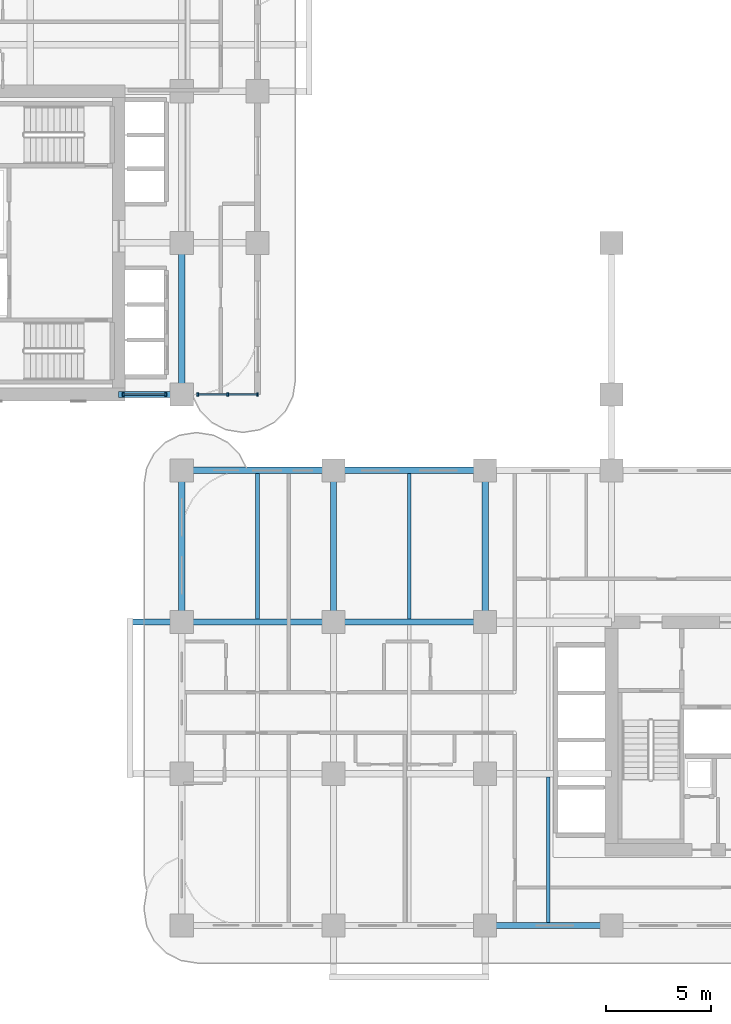
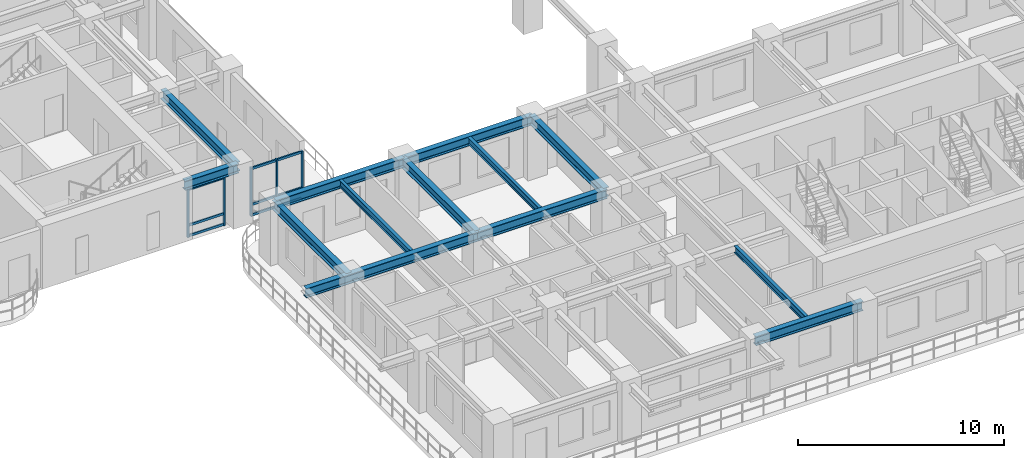
# One storey, part 2 of 18: 14 members, 13 beams, 2 elements without a shape of their own.
"""IFC4 building model written with IfcOpenShell, lengths in metres."""

import ifcopenshell
import ifcopenshell.guid

model = None  # the IFC model being written
_history = None  # IfcOwnerHistory: only IFC2X3 demands one
_inside = {}  # id of a spatial element -> (the spatial element, [elements in it])
_under = {}  # id of a project, library or spatial element -> (it, [spatial elements below it])
_declared = {}  # id of a project -> (the project, [libraries it declares])
_typed = {}  # id of a type object -> (the type object, [elements of that type])
_made_of = {}  # id of a material, layer set ... -> (it, [elements and type objects made of it])


def new_model(schema):
    """Start an empty IFC model of exactly this schema.

    Asked for "IFC4X3", IfcOpenShell would pick the latest addendum, in which some entities
    have other attributes; the version numbers below select the first issue.
    IFC2X3 requires an IfcOwnerHistory on every rooted entity: one is made here for all.
    """
    global model, _history
    if schema == "IFC4X3":
        model = ifcopenshell.file(schema_version=(4, 3, 0, 0))
    else:
        model = ifcopenshell.file(schema=schema)
    _inside.clear()
    _under.clear()
    _declared.clear()
    _typed.clear()
    _made_of.clear()
    _history = None
    if model.schema == "IFC2X3":
        org = make("IfcOrganization", Name="unknown")
        user = make(
            "IfcPersonAndOrganization",
            ThePerson=make("IfcPerson", FamilyName="unknown"),
            TheOrganization=org,
        )
        app = make(
            "IfcApplication",
            ApplicationDeveloper=org,
            Version="unknown",
            ApplicationFullName="unknown",
            ApplicationIdentifier="unknown",
        )
        _history = make(
            "IfcOwnerHistory",
            OwningUser=user,
            OwningApplication=app,
            ChangeAction="ADDED",
            CreationDate=0,
        )
    return model


def make(cls, **values):
    """One entity of the class cls with the attributes given. An attribute that is None is left unset."""
    return model.create_entity(
        cls, **{name: value for name, value in values.items() if value is not None}
    )


def rooted(cls, **values):
    """An entity with a GlobalId (a new one), such as an element, a storey or a relation."""
    return make(cls, GlobalId=ifcopenshell.guid.new(), OwnerHistory=_history, **values)


def si_unit(unit_type, name, prefix=None):
    """IfcSIUnit, for example si_unit("LENGTHUNIT", "METRE", prefix="MILLI")."""
    return make("IfcSIUnit", UnitType=unit_type, Prefix=prefix, Name=name)


def derived_unit(unit_type, elements):
    """IfcDerivedUnit: a product of units, each with its exponent."""
    return make(
        "IfcDerivedUnit",
        Elements=[
            make("IfcDerivedUnitElement", Unit=unit, Exponent=power)
            for unit, power in elements
        ],
        UnitType=unit_type,
    )


def assignment(units):
    """IfcUnitAssignment: the units of a project."""
    return None if units is None else make("IfcUnitAssignment", Units=units)


def point(xyz):
    """IfcCartesianPoint."""
    return None if xyz is None else make("IfcCartesianPoint", Coordinates=xyz)


def direction(xyz):
    """IfcDirection."""
    return None if xyz is None else make("IfcDirection", DirectionRatios=xyz)


def frame(location, z_axis=None, x_axis=None):
    """IfcAxis2Placement3D, a coordinate frame: its origin and axes. An axis left out is left unset."""
    return make(
        "IfcAxis2Placement3D",
        Location=point(location),
        Axis=direction(z_axis),
        RefDirection=direction(x_axis),
    )


def frame_2d(location, x_axis=None):
    """IfcAxis2Placement2D, a coordinate frame in the plane: its origin and x axis."""
    return make(
        "IfcAxis2Placement2D", Location=point(location), RefDirection=direction(x_axis)
    )


def origin():
    """The frame at (0, 0, 0) with its axes left unset."""
    return frame((0.0, 0.0, 0.0))


def origin_2d():
    """The frame at (0, 0) in the plane with its x axis left unset."""
    return frame_2d((0.0, 0.0))


def place(relative_to, where):
    """IfcLocalPlacement: puts the frame where relative to a parent placement (None: the world)."""
    return make(
        "IfcLocalPlacement", PlacementRelTo=relative_to, RelativePlacement=where
    )


def context(
    kind, dimensions, precision=None, world=None, true_north=None, identifier=None
):
    """IfcGeometricRepresentationContext, for example the 3D "Model" context."""
    return make(
        "IfcGeometricRepresentationContext",
        ContextIdentifier=identifier,
        ContextType=kind,
        CoordinateSpaceDimension=dimensions,
        Precision=precision,
        WorldCoordinateSystem=world,
        TrueNorth=true_north,
    )


def subcontext(parent, identifier, kind, view, scale=None):
    """IfcGeometricRepresentationSubContext, for example "Body" below "Model"."""
    return make(
        "IfcGeometricRepresentationSubContext",
        ContextIdentifier=identifier,
        ContextType=kind,
        ParentContext=parent,
        TargetScale=scale,
        TargetView=view,
    )


def project(units=None, contexts=None):
    """IfcProject with its units and contexts."""
    return rooted(
        "IfcProject",
        Name="project",
        RepresentationContexts=contexts,
        UnitsInContext=assignment(units),
    )


def spatial(cls, under=None, at=None, **own):
    """A site, building, storey or space (cls), placed at a placement, below another one or the project."""
    s = rooted(cls, ObjectPlacement=at, **own)
    if under is not None:
        _under.setdefault(under.id(), (under, []))[1].append(s)
    return s


def profile(cls, at=None, kind="AREA", **sizes):
    """A parametric profile (cls). Its sizes go by their IFC names, for example OverallWidth=200.0."""
    return make(cls, ProfileType=kind, Position=at, **sizes)


def rectangle(**sizes):
    """IfcRectangleProfileDef."""
    return profile("IfcRectangleProfileDef", **sizes)


def i_section(**sizes):
    """IfcIShapeProfileDef."""
    return profile("IfcIShapeProfileDef", **sizes)


def extrude(swept, where, along, depth):
    """IfcExtrudedAreaSolid: the profile swept, set in the frame where, extruded along a direction by depth."""
    return make(
        "IfcExtrudedAreaSolid",
        SweptArea=swept,
        Position=where,
        ExtrudedDirection=direction(along),
        Depth=depth,
    )


def shape(context_of_items, identifier, shape_type, items):
    """IfcShapeRepresentation: the items that make up one representation, for example the "Body"."""
    return make(
        "IfcShapeRepresentation",
        ContextOfItems=context_of_items,
        RepresentationIdentifier=identifier,
        RepresentationType=shape_type,
        Items=items,
    )


def source(mapping_origin, context_of_items, identifier, shape_type, items):
    """IfcRepresentationMap: a shape defined once, which mapped items show again and again."""
    return make(
        "IfcRepresentationMap",
        MappingOrigin=mapping_origin,
        MappedRepresentation=shape(context_of_items, identifier, shape_type, items),
    )


def transform(
    local_origin,
    x_axis=None,
    y_axis=None,
    z_axis=None,
    scale=None,
    scale2=None,
    scale3=None,
    uniform=True,
):
    """IfcCartesianTransformationOperator3D, or its non-uniform kind. x_axis, y_axis, z_axis: its Axis1, 2, 3."""
    if uniform:
        return make(
            "IfcCartesianTransformationOperator3D",
            Axis1=direction(x_axis),
            Axis2=direction(y_axis),
            LocalOrigin=point(local_origin),
            Scale=scale,
            Axis3=direction(z_axis),
        )
    return make(
        "IfcCartesianTransformationOperator3DnonUniform",
        Axis1=direction(x_axis),
        Axis2=direction(y_axis),
        LocalOrigin=point(local_origin),
        Scale=scale,
        Axis3=direction(z_axis),
        Scale2=scale2,
        Scale3=scale3,
    )


def mapped(mapping_source, mapping_target):
    """IfcMappedItem: shows the shape of a source again, moved by a transform."""
    return make(
        "IfcMappedItem", MappingSource=mapping_source, MappingTarget=mapping_target
    )


def material(Name=None, Category=None):
    """IfcMaterial."""
    return make("IfcMaterial", Name=Name, Category=Category)


def layer(
    of_material, thickness, ventilated=None, Name=None, Category=None, Priority=None
):
    """IfcMaterialLayer: one layer of a wall or slab, of a material (None: an air gap)."""
    return make(
        "IfcMaterialLayer",
        Material=of_material,
        LayerThickness=thickness,
        IsVentilated=ventilated,
        Name=Name,
        Category=Category,
        Priority=Priority,
    )


def layer_set(layers, Name=None):
    """IfcMaterialLayerSet."""
    return make("IfcMaterialLayerSet", MaterialLayers=layers, LayerSetName=Name)


def material_profile(
    of_material, cross_section, Name=None, Category=None, Priority=None
):
    """IfcMaterialProfile: a cross section and its material."""
    return make(
        "IfcMaterialProfile",
        Name=Name,
        Material=of_material,
        Profile=cross_section,
        Priority=Priority,
        Category=Category,
    )


def profile_set(profiles, Name=None, composite=None):
    """IfcMaterialProfileSet."""
    return make(
        "IfcMaterialProfileSet",
        Name=Name,
        MaterialProfiles=profiles,
        CompositeProfile=composite,
    )


def made_of(thing, what):
    """Note that an element or type object is made of a material, layer set ...; save() writes the relation."""
    if what is not None:
        _made_of.setdefault(what.id(), (what, []))[1].append(thing)
    return thing


def type_object(cls, material=None, **own):
    """A type object (cls), such as IfcWallType, which elements share."""
    return made_of(rooted(cls, **own), material)


def type_shapes(of_type, sources):
    """Give a type object the sources (RepresentationMaps) that its elements show as mapped items."""
    of_type.RepresentationMaps = sources


def element(
    cls,
    number,
    at=None,
    inside=None,
    cuts=None,
    type_object=None,
    material=None,
    context=None,
    identifier="Body",
    shape_type=None,
    held_by="IfcProductDefinitionShape",
    body=None,
    shapes=None,
    **own,
):
    """One element of the class cls, such as IfcWall. Its Tag is "e" and its number.

    at: its placement. inside: the storey or other place that contains it. cuts: it is an
    opening in that element (IfcRelVoidsElement). A single representation is given by context,
    identifier, shape_type and body (its items); several are given by shapes. held_by: the class
    of the entity that holds the representations. save() writes the other relations.
    """
    e = rooted(cls, Tag="e%d" % number, ObjectPlacement=at, **own)
    if body is not None:
        shapes = [shape(context, identifier, shape_type, body)]
    if shapes is not None:
        e.Representation = make(held_by, Representations=shapes)
    if inside is not None:
        _inside.setdefault(inside.id(), (inside, []))[1].append(e)
    if cuts is not None:
        rooted(
            "IfcRelVoidsElement", RelatingBuildingElement=cuts, RelatedOpeningElement=e
        )
    if type_object is not None:
        _typed.setdefault(type_object.id(), (type_object, []))[1].append(e)
    return made_of(e, material)


def aggregate(whole, parts):
    """IfcRelAggregates: a whole, such as a stair, and the parts it consists of."""
    return rooted("IfcRelAggregates", RelatingObject=whole, RelatedObjects=parts)


def save(model, path):
    """Write the relations noted so far, then the file.

    IfcRelAggregates (storeys below a building ...), IfcRelContainedInSpatialStructure (elements
    in a storey), IfcRelDefinesByType, IfcRelAssociatesMaterial and IfcRelDeclares: one each for
    every whole, place, type object, material and project.
    """
    for whole, parts in _under.values():
        aggregate(whole, parts)
    for where, things in _inside.values():
        rooted(
            "IfcRelContainedInSpatialStructure",
            RelatedElements=things,
            RelatingStructure=where,
        )
    for kind, things in _typed.values():
        rooted("IfcRelDefinesByType", RelatedObjects=things, RelatingType=kind)
    for what, things in _made_of.values():
        rooted("IfcRelAssociatesMaterial", RelatedObjects=things, RelatingMaterial=what)
    for by, libraries in _declared.values():
        rooted("IfcRelDeclares", RelatingContext=by, RelatedDefinitions=libraries)
    model.write(path)


model = new_model("IFC4")

# Units and contexts
model_context = context("Model", 3, precision=1e-05, world=origin(), true_north=direction((0.0, 1.0)))
body_context = subcontext(model_context, "Body", "Model", "MODEL_VIEW")
ifc_project = project(units=[si_unit("LENGTHUNIT", "METRE"), si_unit("AREAUNIT", "SQUARE_METRE"), si_unit("VOLUMEUNIT", "CUBIC_METRE"), si_unit("PLANEANGLEUNIT", "RADIAN"), si_unit("MASSUNIT", "GRAM", prefix="KILO"), si_unit("THERMODYNAMICTEMPERATUREUNIT", "KELVIN"), si_unit("POWERUNIT", "WATT"), derived_unit("THERMALTRANSMITTANCEUNIT", [(si_unit("POWERUNIT", "WATT"), 1), (si_unit("AREAUNIT", "SQUARE_METRE"), -1), (si_unit("THERMODYNAMICTEMPERATUREUNIT", "KELVIN"), -1)])], contexts=[model_context])

# Site, building, storey
site_placement = place(None, origin())
site = spatial("IfcSite", under=ifc_project, at=site_placement, CompositionType="ELEMENT")
building_placement = place(site_placement, origin())
building = spatial("IfcBuilding", under=site, at=building_placement, Name="Zahravan Archway Hotel and Residences", CompositionType="ELEMENT")
storey_placement = place(building_placement, frame((0.0, 0.0, 36.10009765625)))
storey = spatial("IfcBuildingStorey", under=building, at=storey_placement, Name="L07", CompositionType="ELEMENT", Elevation=36.10009765625)

# Beams
ifc_material_1 = material(Name="Structural Steel S355JR", Category="steel")
ifc_material_profile_1 = material_profile(ifc_material_1, i_section(OverallWidth=0.300048828125, OverallDepth=0.550048828125, WebThickness=0.014892578125, FlangeThickness=0.029052734375, FilletRadius=0.027099609375, at=origin_2d()), Name="HEB 550", Category="steel")
ifc_profile_set_1 = profile_set([ifc_material_profile_1], Name="Structural Steel S355JR")
beam_type_1 = type_object("IfcBeamType", Name="BM-PRI-HEB550", PredefinedType="BEAM", material=ifc_profile_set_1)
shared_shape_1 = source(origin(), body_context, "Body", "SweptSolid", [
    extrude(i_section(OverallWidth=0.300048828125, OverallDepth=0.550048828125, WebThickness=0.014892578125, FlangeThickness=0.029052734375, FilletRadius=0.027099609375, at=origin_2d()), origin(), (0.0, 0.0, 1.0), 7.2001953125),
])
type_shapes(beam_type_1, [shared_shape_1])
for number, where, z_axis, x_axis, name in (
    (1, (14.39990234375, 21.60009765625, 3.1748046875), (1.0, 0.0, 0.0), (0.0, 1.0, 0.0), "L07 Primary Girder EW-14"),
    (2, (14.39990234375, 14.39990234375, 3.1748046875), (0.0, 1.0, 0.0), (-1.0, 0.0, 0.0), "L07 Primary Girder NS-33"),
    (3, (21.60009765625, 14.39990234375, 3.1748046875), (0.0, 1.0, 0.0), (-1.0, 0.0, 0.0), "L07 Primary Girder NS-39"),
    (4, (28.800048828125, 14.39990234375, 3.1748046875), (0.0, 1.0, 0.0), (-1.0, 0.0, 0.0), "L07 Primary Girder NS-42"),
):
    element("IfcBeam", number, at=place(storey_placement, frame(where, z_axis=z_axis, x_axis=x_axis)), inside=storey, type_object=beam_type_1, Name=name, PredefinedType="BEAM", context=body_context, shape_type="MappedRepresentation", body=[
        mapped(shared_shape_1, transform((0.0, 0.0, 0.0), scale=1.0)),
    ])
shared_shape_2 = source(origin(), body_context, "Body", "SweptSolid", [
    extrude(i_section(OverallWidth=0.300048828125, OverallDepth=0.550048828125, WebThickness=0.014892578125, FlangeThickness=0.029052734375, FilletRadius=0.027099609375, at=origin_2d()), origin(), (0.0, 0.0, 1.0), 7.199951171875),
])
for number, where, z_axis, x_axis, name in (
    (5, (21.60009765625, 14.39990234375, 3.1748046875), (1.0, 0.0, 0.0), (0.0, 1.0, 0.0), "L07 Primary Girder EW-12"),
    (6, (21.60009765625, 21.60009765625, 3.1748046875), (1.0, 0.0, 0.0), (0.0, 1.0, 0.0), "L07 Primary Girder EW-15"),
    (7, (14.39990234375, 25.199951171875, 3.1748046875), (0.0, 1.0, 0.0), (-1.0, 0.0, 0.0), "L07 Primary Girder NS-34"),
):
    element("IfcBeam", number, at=place(storey_placement, frame(where, z_axis=z_axis, x_axis=x_axis)), inside=storey, type_object=beam_type_1, Name=name, PredefinedType="BEAM", context=body_context, shape_type="MappedRepresentation", body=[
        mapped(shared_shape_2, transform((0.0, 0.0, 0.0), scale=1.0)),
    ])
shared_shape_3 = source(origin(), body_context, "Body", "SweptSolid", [
    extrude(i_section(OverallWidth=0.300048828125, OverallDepth=0.550048828125, WebThickness=0.014892578125, FlangeThickness=0.029052734375, FilletRadius=0.027099609375, at=origin_2d()), origin(), (0.0, 0.0, 1.0), 6.0),
])
beam_1_placement = place(storey_placement, frame((28.800048828125, 0.0, 3.1748046875), z_axis=(1.0, 0.0, 0.0), x_axis=(0.0, 1.0, 0.0)))
element("IfcBeam", 8, at=beam_1_placement, inside=storey, type_object=beam_type_1, Name="L07 Primary Girder EW-03", PredefinedType="BEAM", context=body_context, shape_type="MappedRepresentation", body=[
    mapped(shared_shape_3, transform((0.0, 0.0, 0.0), scale=1.0)),
])
shared_shape_4 = source(origin(), body_context, "Body", "SweptSolid", [
    extrude(i_section(OverallWidth=0.300048828125, OverallDepth=0.550048828125, WebThickness=0.014892578125, FlangeThickness=0.029052734375, FilletRadius=0.027099609375, at=origin_2d()), origin(), (0.0, 0.0, 1.0), 3.0),
])
beam_2_placement = place(storey_placement, frame((11.39990234375, 25.199951171875, 3.1748046875), z_axis=(1.0, 0.0, 0.0), x_axis=(0.0, 1.0, 0.0)))
element("IfcBeam", 9, at=beam_2_placement, inside=storey, type_object=beam_type_1, Name="L07 Primary Girder EW-20", PredefinedType="BEAM", context=body_context, shape_type="MappedRepresentation", body=[
    mapped(shared_shape_4, transform((0.0, 0.0, 0.0), scale=1.0)),
])
ifc_material_profile_2 = material_profile(ifc_material_1, i_section(OverallWidth=0.179931640625, OverallDepth=0.39990234375, WebThickness=0.008544921875, FlangeThickness=0.013427734375, FilletRadius=0.02099609375, at=origin_2d()), Name="IPE 400", Category="steel")
ifc_profile_set_2 = profile_set([ifc_material_profile_2], Name="Structural Steel S355JR")
beam_type_2 = type_object("IfcBeamType", Name="BM-JST-IPE400", PredefinedType="JOIST", material=ifc_profile_set_2)
shared_shape_5 = source(origin(), body_context, "Body", "SweptSolid", [
    extrude(i_section(OverallWidth=0.179931640625, OverallDepth=0.39990234375, WebThickness=0.008544921875, FlangeThickness=0.013427734375, FilletRadius=0.02099609375, at=origin_2d()), origin(), (0.0, 0.0, 1.0), 6.904052734375),
])
type_shapes(beam_type_2, [shared_shape_5])
beam_3_placement = place(storey_placement, frame((31.800048828125, 0.14794921875, 3.25), z_axis=(0.0, 1.0, 0.0), x_axis=(-1.0, 0.0, 0.0)))
element("IfcBeam", 10, at=beam_3_placement, inside=storey, type_object=beam_type_2, Name="L07 Composite Floor Joist 03", PredefinedType="JOIST", context=body_context, shape_type="MappedRepresentation", body=[
    mapped(shared_shape_5, transform((0.0, 0.0, 0.0), scale=1.0)),
])
shared_shape_6 = source(origin(), body_context, "Body", "SweptSolid", [
    extrude(i_section(OverallWidth=0.179931640625, OverallDepth=0.39990234375, WebThickness=0.008544921875, FlangeThickness=0.013427734375, FilletRadius=0.02099609375, at=origin_2d()), origin(), (0.0, 0.0, 1.0), 6.90380859375),
])
for number, where, z_axis, x_axis, name in (
    (11, (18.0, 14.548095703125, 3.25), (0.0, 1.0, 0.0), (-1.0, 0.0, 0.0), "L07 Composite Floor Joist 10"),
    (12, (25.199951171875, 14.548095703125, 3.25), (0.0, 1.0, 0.0), (-1.0, 0.0, 0.0), "L07 Composite Floor Joist 11"),
):
    element("IfcBeam", number, at=place(storey_placement, frame(where, z_axis=z_axis, x_axis=x_axis)), inside=storey, type_object=beam_type_2, Name=name, PredefinedType="JOIST", context=body_context, shape_type="MappedRepresentation", body=[
        mapped(shared_shape_6, transform((0.0, 0.0, 0.0), scale=1.0)),
    ])
shared_shape_7 = source(origin(), body_context, "Body", "SweptSolid", [
    extrude(i_section(OverallWidth=0.300048828125, OverallDepth=0.550048828125, WebThickness=0.014892578125, FlangeThickness=0.029052734375, FilletRadius=0.027099609375, at=origin_2d()), origin(), (0.0, 0.0, 1.0), 9.650146484375),
])
beam_4_placement = place(storey_placement, frame((11.949951171875, 14.39990234375, 3.1748046875), z_axis=(1.0, 0.0, 0.0), x_axis=(0.0, 1.0, 0.0)))
element("IfcBeam", 13, at=beam_4_placement, inside=storey, type_object=beam_type_1, Name="L07 Primary Girder EW-11", PredefinedType="BEAM", context=body_context, shape_type="MappedRepresentation", body=[
    mapped(shared_shape_7, transform((0.0, 0.0, 0.0), scale=1.0)),
])

# Curtain wall, members
ifc_material_2 = material(Name="Bronze-Anodized Unitised Aluminium & Low-E Glass", Category="aluminium")
ifc_layer = layer(ifc_material_2, 0.179931640625, Name="Bronze-Anodized Unitised Aluminium & Low-E Glass", Category="aluminium")
ifc_layer_set = layer_set([ifc_layer], Name="Bronze-Anodized Unitised Aluminium & Low-E Glass")
curtain_wall_type = type_object("IfcCurtainWallType", Name="CW-ATR-GLAZ", PredefinedType="NOTDEFINED", material=ifc_layer_set)
curtain_wall_1_placement = place(storey_placement, origin())
curtain_wall_1 = element("IfcCurtainWall", 14, at=curtain_wall_1_placement, inside=storey, type_object=curtain_wall_type, Name="L07 Curtain Wall CW-L07-WB-SE-2", PredefinedType="NOTDEFINED")
ifc_material_3 = material(Name="Bronze-Anodized Extruded Aluminium", Category="aluminium")
ifc_material_profile_3 = material_profile(ifc_material_3, rectangle(XDim=0.080078125, YDim=0.139892578125, at=origin_2d()), Name="TRN 80x140", Category="aluminium")
ifc_profile_set_3 = profile_set([ifc_material_profile_3], Name="Bronze-Anodized Extruded Aluminium")
member_type_1 = type_object("IfcMemberType", Name="CWM-TRN-140", PredefinedType="USERDEFINED", material=ifc_profile_set_3)
shared_shape_8 = source(origin(), body_context, "Body", "SweptSolid", [
    extrude(rectangle(XDim=0.080078125, YDim=0.139892578125, at=origin_2d()), origin(), (0.0, 0.0, 1.0), 1.33984375),
])
member_1_placement = place(storey_placement, frame((16.6201171875, 25.199951171875, 0.06982421875), z_axis=(1.0, 0.0, 0.0), x_axis=(0.0, 1.0, 0.0)))
member_1 = element("IfcMember", 15, at=member_1_placement, type_object=member_type_1, Name="CW-L07-WB-SE-2 Transom 1-1", ObjectType="TRANSOM", PredefinedType="USERDEFINED", context=body_context, shape_type="MappedRepresentation", body=[
    mapped(shared_shape_8, transform((0.0, 0.0, 0.0), scale=1.0)),
])
member_2_placement = place(storey_placement, frame((16.6201171875, 25.199951171875, 0.6923828125), z_axis=(1.0, 0.0, 0.0), x_axis=(0.0, 1.0, 0.0)))
member_2 = element("IfcMember", 16, at=member_2_placement, type_object=member_type_1, Name="CW-L07-WB-SE-2 Transom 1-2", ObjectType="TRANSOM", PredefinedType="USERDEFINED", context=body_context, shape_type="MappedRepresentation", body=[
    mapped(shared_shape_8, transform((0.0, 0.0, 0.0), scale=1.0)),
])
member_3_placement = place(storey_placement, frame((16.6201171875, 25.199951171875, 2.81494140625), z_axis=(1.0, 0.0, 0.0), x_axis=(0.0, 1.0, 0.0)))
member_3 = element("IfcMember", 17, at=member_3_placement, type_object=member_type_1, Name="CW-L07-WB-SE-2 Transom 1-3", ObjectType="TRANSOM", PredefinedType="USERDEFINED", context=body_context, shape_type="MappedRepresentation", body=[
    mapped(shared_shape_8, transform((0.0, 0.0, 0.0), scale=1.0)),
])
shared_shape_9 = source(origin(), body_context, "Body", "SweptSolid", [
    extrude(rectangle(XDim=0.080078125, YDim=0.139892578125, at=origin_2d()), origin(), (0.0, 0.0, 1.0), 1.340087890625),
])
member_4_placement = place(storey_placement, frame((15.199951171875, 25.199951171875, 0.06982421875), z_axis=(1.0, 0.0, 0.0), x_axis=(0.0, 1.0, 0.0)))
member_4 = element("IfcMember", 18, at=member_4_placement, type_object=member_type_1, Name="CW-L07-WB-SE-2 Transom 0-1", ObjectType="TRANSOM", PredefinedType="USERDEFINED", context=body_context, shape_type="MappedRepresentation", body=[
    mapped(shared_shape_9, transform((0.0, 0.0, 0.0), scale=1.0)),
])
member_5_placement = place(storey_placement, frame((15.199951171875, 25.199951171875, 0.6923828125), z_axis=(1.0, 0.0, 0.0), x_axis=(0.0, 1.0, 0.0)))
member_5 = element("IfcMember", 19, at=member_5_placement, type_object=member_type_1, Name="CW-L07-WB-SE-2 Transom 0-2", ObjectType="TRANSOM", PredefinedType="USERDEFINED", context=body_context, shape_type="MappedRepresentation", body=[
    mapped(shared_shape_9, transform((0.0, 0.0, 0.0), scale=1.0)),
])
member_6_placement = place(storey_placement, frame((15.199951171875, 25.199951171875, 2.81494140625), z_axis=(1.0, 0.0, 0.0), x_axis=(0.0, 1.0, 0.0)))
member_6 = element("IfcMember", 20, at=member_6_placement, type_object=member_type_1, Name="CW-L07-WB-SE-2 Transom 0-3", ObjectType="TRANSOM", PredefinedType="USERDEFINED", context=body_context, shape_type="MappedRepresentation", body=[
    mapped(shared_shape_9, transform((0.0, 0.0, 0.0), scale=1.0)),
])

curtain_wall_2_placement = place(storey_placement, origin())
curtain_wall_2 = element("IfcCurtainWall", 21, at=curtain_wall_2_placement, inside=storey, type_object=curtain_wall_type, Name="L07 Curtain Wall CW-L07-WB-SE-1", PredefinedType="NOTDEFINED")
ifc_material_profile_4 = material_profile(ifc_material_3, rectangle(XDim=0.080078125, YDim=0.159912109375, at=origin_2d()), Name="MUL 80x160", Category="aluminium")
ifc_profile_set_4 = profile_set([ifc_material_profile_4], Name="Bronze-Anodized Extruded Aluminium")
member_type_2 = type_object("IfcMemberType", Name="CWM-MUL-160", PredefinedType="MULLION", material=ifc_profile_set_4)
shared_shape_10 = source(origin(), body_context, "Body", "SweptSolid", [
    extrude(rectangle(XDim=0.080078125, YDim=0.159912109375, at=origin_2d()), origin(), (0.0, 0.0, 1.0), 2.885009765625),
])
member_7_placement = place(storey_placement, frame((11.6201171875, 25.199951171875, 0.0), z_axis=(0.0, 0.0, 1.0), x_axis=(1.0, 0.0, 0.0)))
member_7 = element("IfcMember", 22, at=member_7_placement, type_object=member_type_2, Name="CW-L07-WB-SE-1 Mullion 0", PredefinedType="MULLION", context=body_context, shape_type="MappedRepresentation", body=[
    mapped(shared_shape_10, transform((0.0, 0.0, 0.0), scale=1.0)),
])
member_8_placement = place(storey_placement, frame((13.639892578125, 25.199951171875, 0.0), z_axis=(0.0, 0.0, 1.0), x_axis=(1.0, 0.0, 0.0)))
member_8 = element("IfcMember", 23, at=member_8_placement, type_object=member_type_2, Name="CW-L07-WB-SE-1 Mullion 1", PredefinedType="MULLION", context=body_context, shape_type="MappedRepresentation", body=[
    mapped(shared_shape_10, transform((0.0, 0.0, 0.0), scale=1.0)),
])

# Member
member_9_placement = place(storey_placement, frame((15.159912109375, 25.199951171875, 0.0), z_axis=(0.0, 0.0, 1.0), x_axis=(1.0, 0.0, 0.0)))
member_9 = element("IfcMember", 24, at=member_9_placement, type_object=member_type_2, Name="CW-L07-WB-SE-2 Mullion 0", PredefinedType="MULLION", context=body_context, shape_type="MappedRepresentation", body=[
    mapped(shared_shape_10, transform((0.0, 0.0, 0.0), scale=1.0)),
])

member_10_placement = place(storey_placement, frame((16.580078125, 25.199951171875, 0.0), z_axis=(0.0, 0.0, 1.0), x_axis=(1.0, 0.0, 0.0)))
member_10 = element("IfcMember", 25, at=member_10_placement, type_object=member_type_2, Name="CW-L07-WB-SE-2 Mullion 1", PredefinedType="MULLION", context=body_context, shape_type="MappedRepresentation", body=[
    mapped(shared_shape_10, transform((0.0, 0.0, 0.0), scale=1.0)),
])

member_11_placement = place(storey_placement, frame((18.0, 25.199951171875, 0.0), z_axis=(0.0, 0.0, 1.0), x_axis=(1.0, 0.0, 0.0)))
member_11 = element("IfcMember", 26, at=member_11_placement, type_object=member_type_2, Name="CW-L07-WB-SE-2 Mullion 2", PredefinedType="MULLION", context=body_context, shape_type="MappedRepresentation", body=[
    mapped(shared_shape_10, transform((0.0, 0.0, 0.0), scale=1.0)),
])

aggregate(curtain_wall_1, [member_9, member_10, member_11, member_4, member_5, member_6, member_1, member_2, member_3])

shared_shape_11 = source(origin(), body_context, "Body", "SweptSolid", [
    extrude(rectangle(XDim=0.080078125, YDim=0.139892578125, at=origin_2d()), origin(), (0.0, 0.0, 1.0), 1.940185546875),
])
member_12_placement = place(storey_placement, frame((11.659912109375, 25.199951171875, 0.06982421875), z_axis=(1.0, 0.0, 0.0), x_axis=(0.0, 1.0, 0.0)))
member_12 = element("IfcMember", 27, at=member_12_placement, type_object=member_type_1, Name="CW-L07-WB-SE-1 Transom 0-1", ObjectType="TRANSOM", PredefinedType="USERDEFINED", context=body_context, shape_type="MappedRepresentation", body=[
    mapped(shared_shape_11, transform((0.0, 0.0, 0.0), scale=1.0)),
])

member_13_placement = place(storey_placement, frame((11.659912109375, 25.199951171875, 0.6923828125), z_axis=(1.0, 0.0, 0.0), x_axis=(0.0, 1.0, 0.0)))
member_13 = element("IfcMember", 28, at=member_13_placement, type_object=member_type_1, Name="CW-L07-WB-SE-1 Transom 0-2", ObjectType="TRANSOM", PredefinedType="USERDEFINED", context=body_context, shape_type="MappedRepresentation", body=[
    mapped(shared_shape_11, transform((0.0, 0.0, 0.0), scale=1.0)),
])

member_14_placement = place(storey_placement, frame((11.659912109375, 25.199951171875, 2.81494140625), z_axis=(1.0, 0.0, 0.0), x_axis=(0.0, 1.0, 0.0)))
member_14 = element("IfcMember", 29, at=member_14_placement, type_object=member_type_1, Name="CW-L07-WB-SE-1 Transom 0-3", ObjectType="TRANSOM", PredefinedType="USERDEFINED", context=body_context, shape_type="MappedRepresentation", body=[
    mapped(shared_shape_11, transform((0.0, 0.0, 0.0), scale=1.0)),
])

aggregate(curtain_wall_2, [member_7, member_8, member_12, member_13, member_14])

save(model, "model.ifc")
